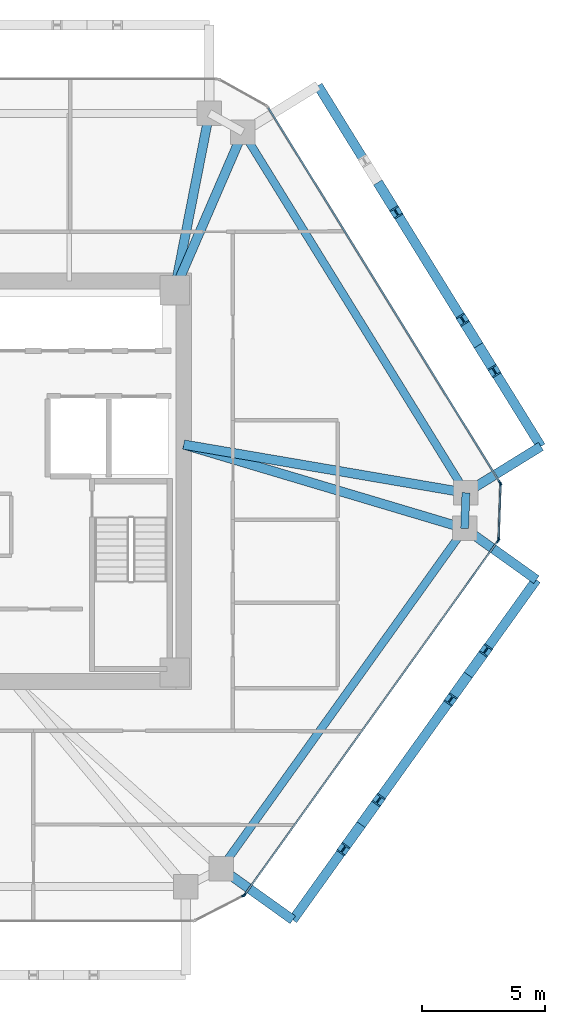
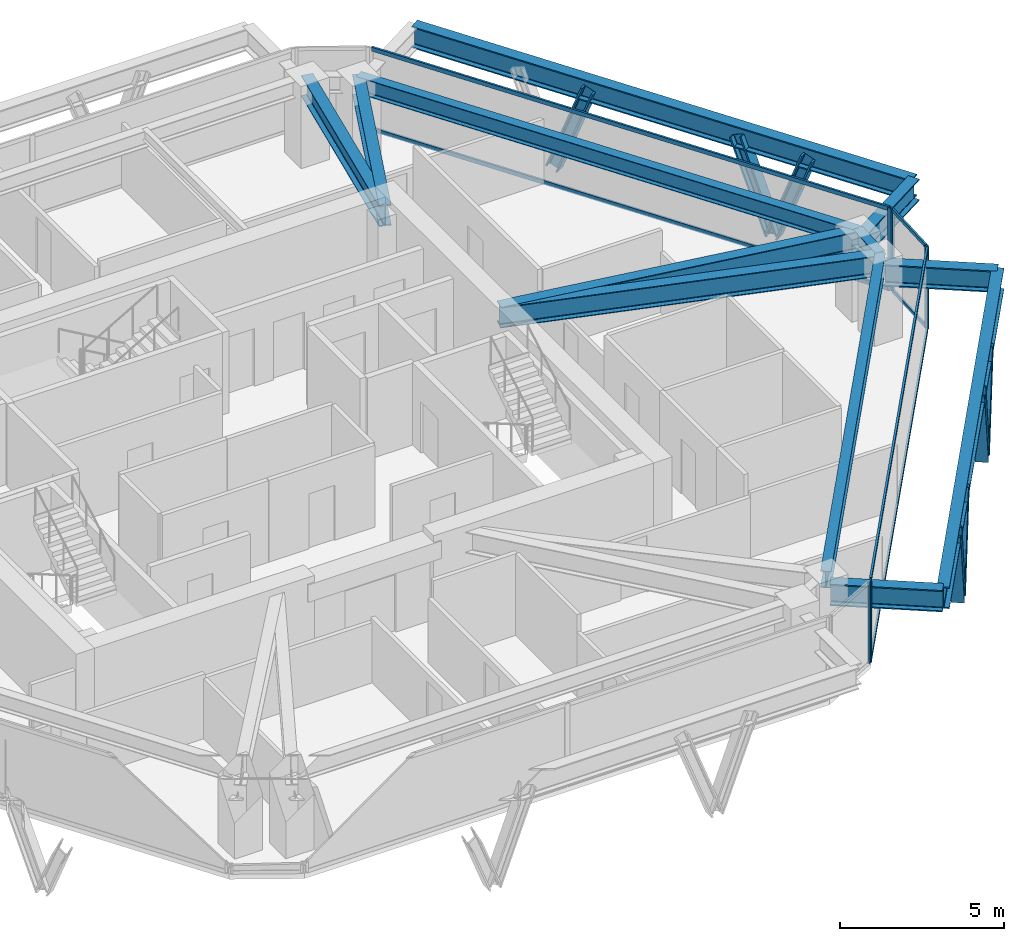
# One storey, part 5 of 11: 19 members, 12 beams, 4 elements without a shape of their own.
"""IFC4 building model written with IfcOpenShell, lengths in metres."""

from ifc_helpers import new_model, si_unit, direction, frame, origin, origin_2d, place, context, subcontext, project, spatial, rectangle, i_section, extrude, source, transform, mapped, material, layer, layer_set, material_profile, profile_set, type_object, type_shapes, element, aggregate, save


model = new_model("IFC4")

# Units and contexts
model_context = context("Model", 3, precision=1e-05, world=origin(), true_north=direction((0.0, 1.0)))
body_context = subcontext(model_context, "Body", "Model", "MODEL_VIEW")
ifc_project = project(units=[si_unit("LENGTHUNIT", "METRE"), si_unit("AREAUNIT", "SQUARE_METRE"), si_unit("VOLUMEUNIT", "CUBIC_METRE"), si_unit("PLANEANGLEUNIT", "RADIAN"), si_unit("MASSUNIT", "GRAM", prefix="KILO")], contexts=[model_context])

# Site, building, storey
site_placement = place(None, origin())
site = spatial("IfcSite", under=ifc_project, at=site_placement, CompositionType="ELEMENT")
building_placement = place(site_placement, origin())
building = spatial("IfcBuilding", under=site, at=building_placement, Name="Durnholm Broadcast Tower", CompositionType="ELEMENT")
storey_placement = place(building_placement, frame((0.0, 0.0, 183.699951171875)))
storey = spatial("IfcBuildingStorey", under=building, at=storey_placement, Name="L50", CompositionType="ELEMENT", Elevation=183.699951171875)

# Beams
ifc_material_1 = material(Name="Steel ASTM A992 Grade 50", Category="steel")
ifc_material_profile_1 = material_profile(ifc_material_1, i_section(OverallWidth=0.385009765625, OverallDepth=0.802978515625, WebThickness=0.023681640625, FlangeThickness=0.0419921875, FilletRadius=0.032958984375, at=origin_2d()), Name="W30X261")
ifc_profile_set_1 = profile_set([ifc_material_profile_1], Name="Steel ASTM A992 Grade 50")
beam_type_1 = type_object("IfcBeamType", Name="BM-EXO-TIE", PredefinedType="USERDEFINED", material=ifc_profile_set_1)
shared_shape_1 = source(origin(), body_context, "Body", "SweptSolid", [
    extrude(i_section(OverallWidth=0.385009765625, OverallDepth=0.802978515625, WebThickness=0.023681640625, FlangeThickness=0.0419921875, FilletRadius=0.032958984375, at=origin_2d()), origin(), (0.0, 0.0, 1.0), 3.4560546875),
])
for number, where, z_axis, x_axis, name in (
    (1, (11.81689453125, -15.884033203125, 2.30859375), (0.813079048773, -0.582153296346, 0.0), (0.582153296346, 0.813079048773, 0.0), "L50 exoskeleton stand-off tie bracket F2.1"),
    (2, (21.7548828125, -2.00341796875, 2.30859375), (0.813079048773, -0.582153296346, 0.0), (0.582153296346, 0.813079048773, 0.0), "L50 exoskeleton stand-off tie bracket F2.2"),
    (3, (21.8095703125, -0.3916015625, 2.30859375), (0.850662348375, 0.525712439512, 0.0), (-0.525712439512, 0.850662348375, 0.0), "L50 exoskeleton stand-off tie bracket F3.1"),
):
    element("IfcBeam", number, at=place(storey_placement, frame(where, z_axis=z_axis, x_axis=x_axis)), inside=storey, type_object=beam_type_1, Name=name, ObjectType="GIRDER", PredefinedType="USERDEFINED", context=body_context, shape_type="MappedRepresentation", body=[
        mapped(shared_shape_1, transform((0.0, 0.0, 0.0), x_axis=(1.0, 0.0, 0.0), y_axis=(0.0, 1.0, 0.0), z_axis=(0.0, 0.0, 1.0), scale=1.0)),
    ])
ifc_material_profile_2 = material_profile(ifc_material_1, i_section(OverallWidth=0.3251953125, OverallDepth=0.6162109375, WebThickness=0.013916015625, FlangeThickness=0.021484375, FilletRadius=0.02783203125, at=origin_2d()), Name="W24X117")
ifc_profile_set_2 = profile_set([ifc_material_profile_2], Name="Steel ASTM A992 Grade 50")
beam_type_2 = type_object("IfcBeamType", Name="STL-SP-W24X117", PredefinedType="SPANDREL", material=ifc_profile_set_2)
shared_shape_2 = source(origin(), body_context, "Body", "SweptSolid", [
    extrude(i_section(OverallWidth=0.3251953125, OverallDepth=0.6162109375, WebThickness=0.013916015625, FlangeThickness=0.021484375, FilletRadius=0.02783203125, at=origin_2d()), origin(), (0.0, 0.0, 1.0), 17.30322265625),
])
beam_1_placement = place(storey_placement, frame((12.5908203125, 14.252197265625, 2.737060546875), z_axis=(0.525691424148, -0.850675335588, 0.0), x_axis=(0.850675335588, 0.525691424148, 0.0)))
element("IfcBeam", 4, at=beam_1_placement, inside=storey, type_object=beam_type_2, Name="L50 perimeter spandrel girder 07", PredefinedType="SPANDREL", context=body_context, shape_type="MappedRepresentation", body=[
    mapped(shared_shape_2, transform((0.0, 0.0, 0.0), x_axis=(1.0, 0.0, 0.0), y_axis=(0.0, 1.0, 0.0), z_axis=(0.0, 0.0, 1.0), scale=1.0)),
])
shared_shape_3 = source(origin(), body_context, "Body", "SweptSolid", [
    extrude(i_section(OverallWidth=0.3251953125, OverallDepth=0.6162109375, WebThickness=0.013916015625, FlangeThickness=0.021484375, FilletRadius=0.02783203125, at=origin_2d()), origin(), (0.0, 0.0, 1.0), 1.453125),
])
beam_2_placement = place(storey_placement, frame((21.68701171875, -0.46728515625, 2.737060546875), z_axis=(-0.033767922326, -0.99942970109, 0.0), x_axis=(0.99942970109, -0.033767922326, 0.0)))
element("IfcBeam", 5, at=beam_2_placement, inside=storey, type_object=beam_type_2, Name="L50 perimeter spandrel girder 08", PredefinedType="SPANDREL", context=body_context, shape_type="MappedRepresentation", body=[
    mapped(shared_shape_3, transform((0.0, 0.0, 0.0), x_axis=(1.0, 0.0, 0.0), y_axis=(0.0, 1.0, 0.0), z_axis=(0.0, 0.0, 1.0), scale=1.0)),
])
shared_shape_4 = source(origin(), body_context, "Body", "SweptSolid", [
    extrude(i_section(OverallWidth=0.3251953125, OverallDepth=0.6162109375, WebThickness=0.013916015625, FlangeThickness=0.021484375, FilletRadius=0.02783203125, at=origin_2d()), origin(), (0.0, 0.0, 1.0), 17.071533203125),
])
type_shapes(beam_type_2, [shared_shape_2, shared_shape_3, shared_shape_4])
beam_3_placement = place(storey_placement, frame((21.637939453125, -1.919677734375, 2.737060546875), z_axis=(-0.582149612352, -0.813081686449, 0.0), x_axis=(0.813081686449, -0.582149612352, 0.0)))
element("IfcBeam", 6, at=beam_3_placement, inside=storey, type_object=beam_type_2, Name="L50 perimeter spandrel girder 09", PredefinedType="SPANDREL", context=body_context, shape_type="MappedRepresentation", body=[
    mapped(shared_shape_4, transform((0.0, 0.0, 0.0), x_axis=(1.0, 0.0, 0.0), y_axis=(0.0, 1.0, 0.0), z_axis=(0.0, 0.0, 1.0), scale=1.0)),
])
ifc_material_profile_3 = material_profile(ifc_material_1, i_section(OverallWidth=0.380615234375, OverallDepth=0.773193359375, WebThickness=0.0166015625, FlangeThickness=0.027099609375, FilletRadius=0.032958984375, at=origin_2d()), Name="W30X173")
ifc_profile_set_3 = profile_set([ifc_material_profile_3], Name="Steel ASTM A992 Grade 50")
beam_type_3 = type_object("IfcBeamType", Name="STL-GR-W30X173", PredefinedType="USERDEFINED", material=ifc_profile_set_3)
shared_shape_5 = source(origin(), body_context, "Body", "SweptSolid", [
    extrude(i_section(OverallWidth=0.380615234375, OverallDepth=0.773193359375, WebThickness=0.0166015625, FlangeThickness=0.027099609375, FilletRadius=0.032958984375, at=origin_2d()), origin(), (0.0, 0.0, 1.0), 7.35595703125),
])
beam_4_placement = place(storey_placement, frame((9.800048828125, 7.800048828125, 2.658447265625), z_axis=(0.192700221893, 0.981257674865, 0.0), x_axis=(-0.981257674865, 0.192700221893, 0.0)))
element("IfcBeam", 7, at=beam_4_placement, inside=storey, type_object=beam_type_3, Name="L50 radial primary floor girder 06", ObjectType="GIRDER", PredefinedType="USERDEFINED", context=body_context, shape_type="MappedRepresentation", body=[
    mapped(shared_shape_5, transform((0.0, 0.0, 0.0), x_axis=(1.0, 0.0, 0.0), y_axis=(0.0, 1.0, 0.0), z_axis=(0.0, 0.0, 1.0), scale=1.0)),
])
shared_shape_6 = source(origin(), body_context, "Body", "SweptSolid", [
    extrude(i_section(OverallWidth=0.380615234375, OverallDepth=0.773193359375, WebThickness=0.0166015625, FlangeThickness=0.027099609375, FilletRadius=0.032958984375, at=origin_2d()), origin(), (0.0, 0.0, 1.0), 7.02978515625),
])
beam_5_placement = place(storey_placement, frame((9.800048828125, 7.800048828125, 2.658447265625), z_axis=(0.396989434191, 0.91782317967, 0.0), x_axis=(-0.91782317967, 0.396989434191, 0.0)))
element("IfcBeam", 8, at=beam_5_placement, inside=storey, type_object=beam_type_3, Name="L50 radial primary floor girder 07", ObjectType="GIRDER", PredefinedType="USERDEFINED", context=body_context, shape_type="MappedRepresentation", body=[
    mapped(shared_shape_6, transform((0.0, 0.0, 0.0), x_axis=(1.0, 0.0, 0.0), y_axis=(0.0, 1.0, 0.0), z_axis=(0.0, 0.0, 1.0), scale=1.0)),
])
shared_shape_7 = source(origin(), body_context, "Body", "SweptSolid", [
    extrude(i_section(OverallWidth=0.385009765625, OverallDepth=0.802978515625, WebThickness=0.023681640625, FlangeThickness=0.0419921875, FilletRadius=0.032958984375, at=origin_2d()), origin(), (0.0, 0.0, 1.0), 17.071533203125),
])
beam_6_placement = place(storey_placement, frame((14.626953125, -17.89599609375, 2.30859375), z_axis=(0.582140157836, 0.813088455603, 0.0), x_axis=(-0.813088455603, 0.582140157836, 0.0)))
element("IfcBeam", 9, at=beam_6_placement, inside=storey, type_object=beam_type_1, Name="L50 exoskeleton collector spandrel F2", PredefinedType="SPANDREL", context=body_context, shape_type="MappedRepresentation", body=[
    mapped(shared_shape_7, transform((0.0, 0.0, 0.0), x_axis=(1.0, 0.0, 0.0), y_axis=(0.0, 1.0, 0.0), z_axis=(0.0, 0.0, 1.0), scale=1.0)),
])
shared_shape_8 = source(origin(), body_context, "Body", "SweptSolid", [
    extrude(i_section(OverallWidth=0.385009765625, OverallDepth=0.802978515625, WebThickness=0.023681640625, FlangeThickness=0.0419921875, FilletRadius=0.032958984375, at=origin_2d()), origin(), (0.0, 0.0, 1.0), 17.303466796875),
])
type_shapes(beam_type_1, [shared_shape_1, shared_shape_7, shared_shape_8])
beam_7_placement = place(storey_placement, frame((24.74951171875, 1.42529296875, 2.30859375), z_axis=(-0.525701634347, 0.850669025911, 0.0), x_axis=(-0.850669025911, -0.525701634347, 0.0)))
element("IfcBeam", 10, at=beam_7_placement, inside=storey, type_object=beam_type_1, Name="L50 exoskeleton collector spandrel F3", PredefinedType="SPANDREL", context=body_context, shape_type="MappedRepresentation", body=[
    mapped(shared_shape_8, transform((0.0, 0.0, 0.0), x_axis=(1.0, 0.0, 0.0), y_axis=(0.0, 1.0, 0.0), z_axis=(0.0, 0.0, 1.0), scale=1.0)),
])
shared_shape_9 = source(origin(), body_context, "Body", "SweptSolid", [
    extrude(i_section(OverallWidth=0.380615234375, OverallDepth=0.773193359375, WebThickness=0.0166015625, FlangeThickness=0.027099609375, FilletRadius=0.032958984375, at=origin_2d()), origin(), (0.0, 0.0, 1.0), 11.678955078125),
])
beam_8_placement = place(storey_placement, frame((10.175048828125, 1.5, 2.658447265625), z_axis=(0.985710446264, -0.168448556317, 0.0), x_axis=(0.168448556317, 0.985710446264, 0.0)))
element("IfcBeam", 11, at=beam_8_placement, inside=storey, type_object=beam_type_3, Name="L50 radial primary floor girder 08", ObjectType="GIRDER", PredefinedType="USERDEFINED", context=body_context, shape_type="MappedRepresentation", body=[
    mapped(shared_shape_9, transform((0.0, 0.0, 0.0), x_axis=(1.0, 0.0, 0.0), y_axis=(0.0, 1.0, 0.0), z_axis=(0.0, 0.0, 1.0), scale=1.0)),
])
shared_shape_10 = source(origin(), body_context, "Body", "SweptSolid", [
    extrude(i_section(OverallWidth=0.380615234375, OverallDepth=0.773193359375, WebThickness=0.0166015625, FlangeThickness=0.027099609375, FilletRadius=0.032958984375, at=origin_2d()), origin(), (0.0, 0.0, 1.0), 11.962158203125),
])
type_shapes(beam_type_3, [shared_shape_5, shared_shape_6, shared_shape_9, shared_shape_10])
beam_9_placement = place(storey_placement, frame((10.175048828125, 1.5, 2.658447265625), z_axis=(0.958266673737, -0.285875815706, 0.0), x_axis=(0.285875815706, 0.958266673737, 0.0)))
element("IfcBeam", 12, at=beam_9_placement, inside=storey, type_object=beam_type_3, Name="L50 radial primary floor girder 09", ObjectType="GIRDER", PredefinedType="USERDEFINED", context=body_context, shape_type="MappedRepresentation", body=[
    mapped(shared_shape_10, transform((0.0, 0.0, 0.0), x_axis=(1.0, 0.0, 0.0), y_axis=(0.0, 1.0, 0.0), z_axis=(0.0, 0.0, 1.0), scale=1.0)),
])

# Members
ifc_material_2 = material(Name="Steel ASTM A913 Grade 65", Category="steel")
ifc_material_profile_4 = material_profile(ifc_material_2, i_section(OverallWidth=0.412109375, OverallDepth=0.434814453125, WebThickness=0.035888671875, FlangeThickness=0.057373046875, FilletRadius=0.030517578125, at=origin_2d()), Name="W14X311")
ifc_profile_set_4 = profile_set([ifc_material_profile_4], Name="Steel ASTM A913 Grade 65")
member_type_1 = type_object("IfcMemberType", Name="STL-DG-W14X311", PredefinedType="BRACE", material=ifc_profile_set_4)
shared_shape_11 = source(origin(), body_context, "Body", "SweptSolid", [
    extrude(i_section(OverallWidth=0.412109375, OverallDepth=0.434814453125, WebThickness=0.035888671875, FlangeThickness=0.057373046875, FilletRadius=0.030517578125, at=origin_2d()), origin(), (0.0, 0.0, 1.0), 3.523193359375),
])
for number, where, z_axis, x_axis, name in (
    (13, (17.40966796875, -14.009521484375, -0.991455078125), (-0.203869234398, -0.284737826017, 0.936675880815), (0.813077820009, -0.582155012526, 0.0), "L50 stand-off diagrid brace F2.D1.1"),
    (14, (17.40966796875, -14.009521484375, -0.991455078125), (0.203869234398, 0.284737826017, 0.936675880815), (-0.813077820009, 0.582155012526, 0.0), "L50 stand-off diagrid brace F2.D1.2"),
    (15, (21.782470703125, -7.90185546875, -0.991455078125), (-0.203869234398, -0.284737826017, 0.936675880815), (0.813077820009, -0.582155012526, 0.0), "L50 stand-off diagrid brace F2.D2.1"),
    (16, (21.782470703125, -7.90185546875, -0.991455078125), (0.203802816986, 0.284741848009, 0.936689111595), (-0.813171482985, 0.58202417412, 0.0), "L50 stand-off diagrid brace F2.D2.2"),
    (17, (22.202392578125, 5.546875, -0.991455078125), (0.18411903749, -0.297902800967, 0.936671821509), (0.850644447398, 0.525741404219, 0.0), "L50 stand-off diagrid brace F3.D1.1"),
):
    element("IfcMember", number, at=place(storey_placement, frame(where, z_axis=z_axis, x_axis=x_axis)), inside=storey, type_object=member_type_1, Name=name, PredefinedType="BRACE", context=body_context, shape_type="MappedRepresentation", body=[
        mapped(shared_shape_11, transform((0.0, 0.0, 0.0), x_axis=(1.0, 0.0, 0.0), y_axis=(0.0, 1.0, 0.0), z_axis=(0.0, 0.0, 1.0), scale=1.0)),
    ])
shared_shape_12 = source(origin(), body_context, "Body", "SweptSolid", [
    extrude(i_section(OverallWidth=0.412109375, OverallDepth=0.434814453125, WebThickness=0.035888671875, FlangeThickness=0.057373046875, FilletRadius=0.030517578125, at=origin_2d()), origin(), (0.0, 0.0, 1.0), 3.52294921875),
])
type_shapes(member_type_1, [shared_shape_11, shared_shape_12])
for number, where, z_axis, x_axis, name in (
    (18, (22.202392578125, 5.546875, -0.991455078125), (-0.184055888727, 0.297843452465, 0.936703105391), (-0.85067825406, -0.525686701439, 0.0), "L50 stand-off diagrid brace F3.D1.2"),
    (19, (18.2001953125, 12.023193359375, -0.991455078125), (0.184055888727, -0.297843452465, 0.936703105391), (0.85067825406, 0.525686701439, 0.0), "L50 stand-off diagrid brace F3.D2.1"),
):
    element("IfcMember", number, at=place(storey_placement, frame(where, z_axis=z_axis, x_axis=x_axis)), inside=storey, type_object=member_type_1, Name=name, PredefinedType="BRACE", context=body_context, shape_type="MappedRepresentation", body=[
        mapped(shared_shape_12, transform((0.0, 0.0, 0.0), x_axis=(1.0, 0.0, 0.0), y_axis=(0.0, 1.0, 0.0), z_axis=(0.0, 0.0, 1.0), scale=1.0)),
    ])

# Curtain wall, members
ifc_material_3 = material(Name="Aluminium and Solar Control IGU", Category="aluminium")
ifc_layer_1 = layer(ifc_material_3, 0.1650390625)
ifc_layer_set_1 = layer_set([ifc_layer_1], Name="Aluminium and Solar Control IGU")
curtain_wall_type_1 = type_object("IfcCurtainWallType", Name="CW-SYS-5", PredefinedType="NOTDEFINED", material=ifc_layer_set_1)
curtain_wall_1_placement = place(storey_placement, origin())
curtain_wall_1 = element("IfcCurtainWall", 20, at=curtain_wall_1_placement, inside=storey, type_object=curtain_wall_type_1, Name="L50 curtain wall CW-CORNER CW-L50-CRN-07", PredefinedType="NOTDEFINED")
ifc_material_4 = material(Name="Aluminium 6063-T6", Category="aluminium")
ifc_material_profile_5 = material_profile(ifc_material_4, rectangle(XDim=0.06494140625, YDim=0.1650390625, at=origin_2d()), Name="CWM65X165")
ifc_profile_set_5 = profile_set([ifc_material_profile_5], Name="Aluminium 6063-T6")
member_type_2 = type_object("IfcMemberType", Name="CW-SYS-5-MUL", PredefinedType="MULLION", material=ifc_profile_set_5)
shared_shape_13 = source(origin(), body_context, "Body", "SweptSolid", [
    extrude(rectangle(XDim=0.06494140625, YDim=0.1650390625, at=origin_2d()), origin(), (0.0, 0.0, 1.0), 3.06005859375),
])
type_shapes(member_type_2, [shared_shape_13])
member_1_placement = place(storey_placement, frame((23.099609375, -0.1240234375, 0.0), z_axis=(0.0, 0.0, 1.0), x_axis=(0.999424798802, -0.033912704699, 0.0)))
member_1 = element("IfcMember", 21, at=member_1_placement, type_object=member_type_2, Name="CW-CORNER mullion 1", PredefinedType="MULLION", context=body_context, shape_type="MappedRepresentation", body=[
    mapped(shared_shape_13, transform((0.0, 0.0, 0.0), x_axis=(1.0, 0.0, 0.0), y_axis=(0.0, 1.0, 0.0), z_axis=(0.0, 0.0, 1.0), scale=1.0)),
])
member_2_placement = place(storey_placement, frame((23.023681640625, -2.35791015625, 0.0), z_axis=(0.0, 0.0, 1.0), x_axis=(0.999424798802, -0.033912704699, 0.0)))
member_2 = element("IfcMember", 22, at=member_2_placement, type_object=member_type_2, Name="CW-CORNER mullion 2", PredefinedType="MULLION", context=body_context, shape_type="MappedRepresentation", body=[
    mapped(shared_shape_13, transform((0.0, 0.0, 0.0), x_axis=(1.0, 0.0, 0.0), y_axis=(0.0, 1.0, 0.0), z_axis=(0.0, 0.0, 1.0), scale=1.0)),
])

# Curtain wall, member
curtain_wall_2_placement = place(storey_placement, origin())
curtain_wall_2 = element("IfcCurtainWall", 23, at=curtain_wall_2_placement, inside=storey, type_object=curtain_wall_type_1, Name="L50 curtain wall CW-CORNER CW-L50-CRN-09", PredefinedType="NOTDEFINED")
member_3_placement = place(storey_placement, frame((12.612060546875, -16.905517578125, 0.0), z_axis=(0.0, 0.0, 1.0), x_axis=(0.457081764476, -0.889424679545, 0.0)))
member_3 = element("IfcMember", 24, at=member_3_placement, type_object=member_type_2, Name="CW-CORNER mullion 1", PredefinedType="MULLION", context=body_context, shape_type="MappedRepresentation", body=[
    mapped(shared_shape_13, transform((0.0, 0.0, 0.0), x_axis=(1.0, 0.0, 0.0), y_axis=(0.0, 1.0, 0.0), z_axis=(0.0, 0.0, 1.0), scale=1.0)),
])
aggregate(curtain_wall_2, [member_3])

# Member
ifc_material_profile_6 = material_profile(ifc_material_4, rectangle(XDim=0.06494140625, YDim=0.1298828125, at=origin_2d()), Name="CWT65X130")
ifc_profile_set_6 = profile_set([ifc_material_profile_6], Name="Aluminium 6063-T6")
member_type_3 = type_object("IfcMemberType", Name="CW-SYS-5-TRN", PredefinedType="USERDEFINED", material=ifc_profile_set_6)
shared_shape_14 = source(origin(), body_context, "Body", "SweptSolid", [
    extrude(rectangle(XDim=0.06494140625, YDim=0.1298828125, at=origin_2d()), origin(), (0.0, 0.0, 1.0), 2.170166015625),
])
type_shapes(member_type_3, [shared_shape_14])
member_4_placement = place(storey_placement, frame((23.098388671875, -0.156494140625, 0.032470703125), z_axis=(-0.033861704743, -0.999426528041, 0.0), x_axis=(0.999426528041, -0.033861704743, 0.0)))
member_4 = element("IfcMember", 25, at=member_4_placement, type_object=member_type_3, Name="CW-CORNER transom 1.1", ObjectType="TRANSOM", PredefinedType="USERDEFINED", context=body_context, shape_type="MappedRepresentation", body=[
    mapped(shared_shape_14, transform((0.0, 0.0, 0.0), x_axis=(1.0, 0.0, 0.0), y_axis=(0.0, 1.0, 0.0), z_axis=(0.0, 0.0, 1.0), scale=1.0)),
])

member_5_placement = place(storey_placement, frame((23.098388671875, -0.156494140625, 3.027587890625), z_axis=(-0.033861704743, -0.999426528041, 0.0), x_axis=(0.999426528041, -0.033861704743, 0.0)))
member_5 = element("IfcMember", 26, at=member_5_placement, type_object=member_type_3, Name="CW-CORNER transom 1.2", ObjectType="TRANSOM", PredefinedType="USERDEFINED", context=body_context, shape_type="MappedRepresentation", body=[
    mapped(shared_shape_14, transform((0.0, 0.0, 0.0), x_axis=(1.0, 0.0, 0.0), y_axis=(0.0, 1.0, 0.0), z_axis=(0.0, 0.0, 1.0), scale=1.0)),
])

aggregate(curtain_wall_1, [member_1, member_2, member_4, member_5])

# Curtain wall, members
ifc_layer_2 = layer(ifc_material_3, 0.18994140625)
ifc_layer_set_2 = layer_set([ifc_layer_2], Name="Aluminium and Solar Control IGU")
curtain_wall_type_2 = type_object("IfcCurtainWallType", Name="CW-SYS-4", PredefinedType="NOTDEFINED", material=ifc_layer_set_2)
curtain_wall_3_placement = place(storey_placement, origin())
curtain_wall_3 = element("IfcCurtainWall", 27, at=curtain_wall_3_placement, inside=storey, type_object=curtain_wall_type_2, Name="L50 curtain wall CW-Z34-VIS CW-L50-F06", PredefinedType="NOTDEFINED")
ifc_material_profile_7 = material_profile(ifc_material_4, rectangle(XDim=0.070068359375, YDim=0.14990234375, at=origin_2d()), Name="CWT70X150")
ifc_profile_set_7 = profile_set([ifc_material_profile_7], Name="Aluminium 6063-T6")
member_type_4 = type_object("IfcMemberType", Name="CW-SYS-4-TRN", PredefinedType="USERDEFINED", material=ifc_profile_set_7)
shared_shape_15 = source(origin(), body_context, "Body", "SweptSolid", [
    extrude(rectangle(XDim=0.070068359375, YDim=0.14990234375, at=origin_2d()), origin(), (0.0, 0.0, 1.0), 17.950927734375),
])
member_6_placement = place(storey_placement, frame((13.627197265625, 15.23828125, 0.03515625), z_axis=(0.525699895853, -0.850670100274, 0.0), x_axis=(0.850670100274, 0.525699895853, 0.0)))
member_6 = element("IfcMember", 28, at=member_6_placement, type_object=member_type_4, Name="CW-Z34-VIS transom 1.1", ObjectType="TRANSOM", PredefinedType="USERDEFINED", context=body_context, shape_type="MappedRepresentation", body=[
    mapped(shared_shape_15, transform((0.0, 0.0, 0.0), x_axis=(1.0, 0.0, 0.0), y_axis=(0.0, 1.0, 0.0), z_axis=(0.0, 0.0, 1.0), scale=1.0)),
])
member_7_placement = place(storey_placement, frame((13.627197265625, 15.23828125, 3.025146484375), z_axis=(0.525699895853, -0.850670100274, 0.0), x_axis=(0.850670100274, 0.525699895853, 0.0)))
member_7 = element("IfcMember", 29, at=member_7_placement, type_object=member_type_4, Name="CW-Z34-VIS transom 1.2", ObjectType="TRANSOM", PredefinedType="USERDEFINED", context=body_context, shape_type="MappedRepresentation", body=[
    mapped(shared_shape_15, transform((0.0, 0.0, 0.0), x_axis=(1.0, 0.0, 0.0), y_axis=(0.0, 1.0, 0.0), z_axis=(0.0, 0.0, 1.0), scale=1.0)),
])

curtain_wall_4_placement = place(storey_placement, origin())
curtain_wall_4 = element("IfcCurtainWall", 30, at=curtain_wall_4_placement, inside=storey, type_object=curtain_wall_type_2, Name="L50 curtain wall CW-Z34-VIS CW-L50-F08", PredefinedType="NOTDEFINED")
shared_shape_16 = source(origin(), body_context, "Body", "SweptSolid", [
    extrude(rectangle(XDim=0.070068359375, YDim=0.14990234375, at=origin_2d()), origin(), (0.0, 0.0, 1.0), 17.693603515625),
])
type_shapes(member_type_4, [shared_shape_15, shared_shape_16])
member_8_placement = place(storey_placement, frame((22.98193359375, -2.447265625, 0.03515625), z_axis=(-0.582144969277, -0.813085010774, 0.0), x_axis=(0.813085010774, -0.582144969277, 0.0)))
member_8 = element("IfcMember", 31, at=member_8_placement, type_object=member_type_4, Name="CW-Z34-VIS transom 1.1", ObjectType="TRANSOM", PredefinedType="USERDEFINED", context=body_context, shape_type="MappedRepresentation", body=[
    mapped(shared_shape_16, transform((0.0, 0.0, 0.0), x_axis=(1.0, 0.0, 0.0), y_axis=(0.0, 1.0, 0.0), z_axis=(0.0, 0.0, 1.0), scale=1.0)),
])
member_9_placement = place(storey_placement, frame((22.98193359375, -2.447265625, 3.025146484375), z_axis=(-0.582144969277, -0.813085010774, 0.0), x_axis=(0.813085010774, -0.582144969277, 0.0)))
member_9 = element("IfcMember", 32, at=member_9_placement, type_object=member_type_4, Name="CW-Z34-VIS transom 1.2", ObjectType="TRANSOM", PredefinedType="USERDEFINED", context=body_context, shape_type="MappedRepresentation", body=[
    mapped(shared_shape_16, transform((0.0, 0.0, 0.0), x_axis=(1.0, 0.0, 0.0), y_axis=(0.0, 1.0, 0.0), z_axis=(0.0, 0.0, 1.0), scale=1.0)),
])

# Member
ifc_material_profile_8 = material_profile(ifc_material_4, rectangle(XDim=0.070068359375, YDim=0.18994140625, at=origin_2d()), Name="CWM70X190")
ifc_profile_set_8 = profile_set([ifc_material_profile_8], Name="Aluminium 6063-T6")
member_type_5 = type_object("IfcMemberType", Name="CW-SYS-4-MUL", PredefinedType="MULLION", material=ifc_profile_set_8)
shared_shape_17 = source(origin(), body_context, "Body", "SweptSolid", [
    extrude(rectangle(XDim=0.070068359375, YDim=0.18994140625, at=origin_2d()), origin(), (0.0, 0.0, 1.0), 3.06005859375),
])
type_shapes(member_type_5, [shared_shape_17])
member_10_placement = place(storey_placement, frame((23.082275390625, -0.061767578125, 0.0), z_axis=(0.0, 0.0, 1.0), x_axis=(0.850671426092, 0.525697750452, 0.0)))
member_10 = element("IfcMember", 33, at=member_10_placement, type_object=member_type_5, Name="CW-Z34-VIS mullion 2", PredefinedType="MULLION", context=body_context, shape_type="MappedRepresentation", body=[
    mapped(shared_shape_17, transform((0.0, 0.0, 0.0), x_axis=(1.0, 0.0, 0.0), y_axis=(0.0, 1.0, 0.0), z_axis=(0.0, 0.0, 1.0), scale=1.0)),
])

aggregate(curtain_wall_3, [member_10, member_6, member_7])

member_11_placement = place(storey_placement, frame((23.00244140625, -2.418701171875, 0.0), z_axis=(0.0, 0.0, 1.0), x_axis=(0.813089262696, -0.582139030549, 0.0)))
member_11 = element("IfcMember", 34, at=member_11_placement, type_object=member_type_5, Name="CW-Z34-VIS mullion 1", PredefinedType="MULLION", context=body_context, shape_type="MappedRepresentation", body=[
    mapped(shared_shape_17, transform((0.0, 0.0, 0.0), x_axis=(1.0, 0.0, 0.0), y_axis=(0.0, 1.0, 0.0), z_axis=(0.0, 0.0, 1.0), scale=1.0)),
])

member_12_placement = place(storey_placement, frame((12.661376953125, -16.8623046875, 0.0), z_axis=(0.0, 0.0, 1.0), x_axis=(0.813089262696, -0.582139030549, 0.0)))
member_12 = element("IfcMember", 35, at=member_12_placement, type_object=member_type_5, Name="CW-Z34-VIS mullion 2", PredefinedType="MULLION", context=body_context, shape_type="MappedRepresentation", body=[
    mapped(shared_shape_17, transform((0.0, 0.0, 0.0), x_axis=(1.0, 0.0, 0.0), y_axis=(0.0, 1.0, 0.0), z_axis=(0.0, 0.0, 1.0), scale=1.0)),
])

aggregate(curtain_wall_4, [member_11, member_12, member_8, member_9])

save(model, "model.ifc")
